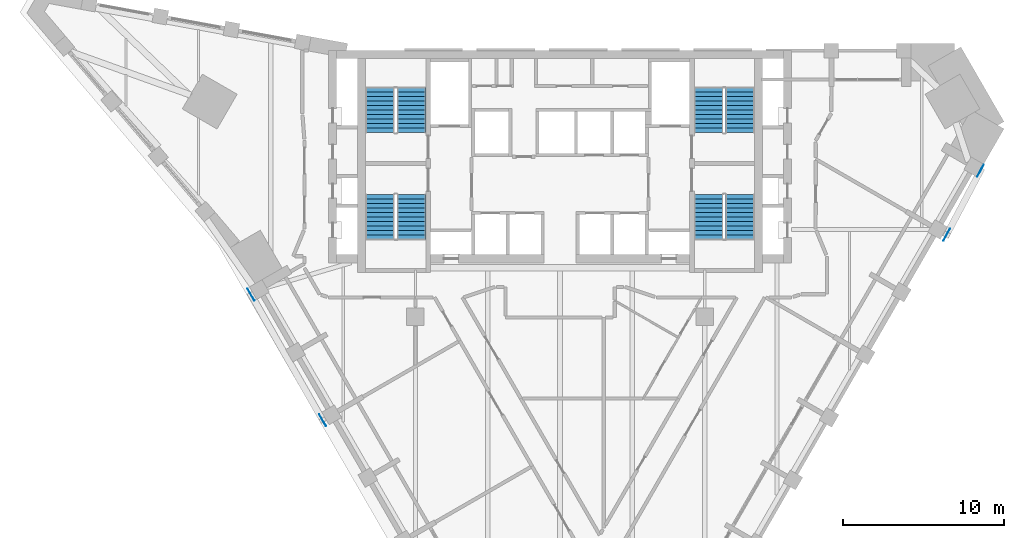
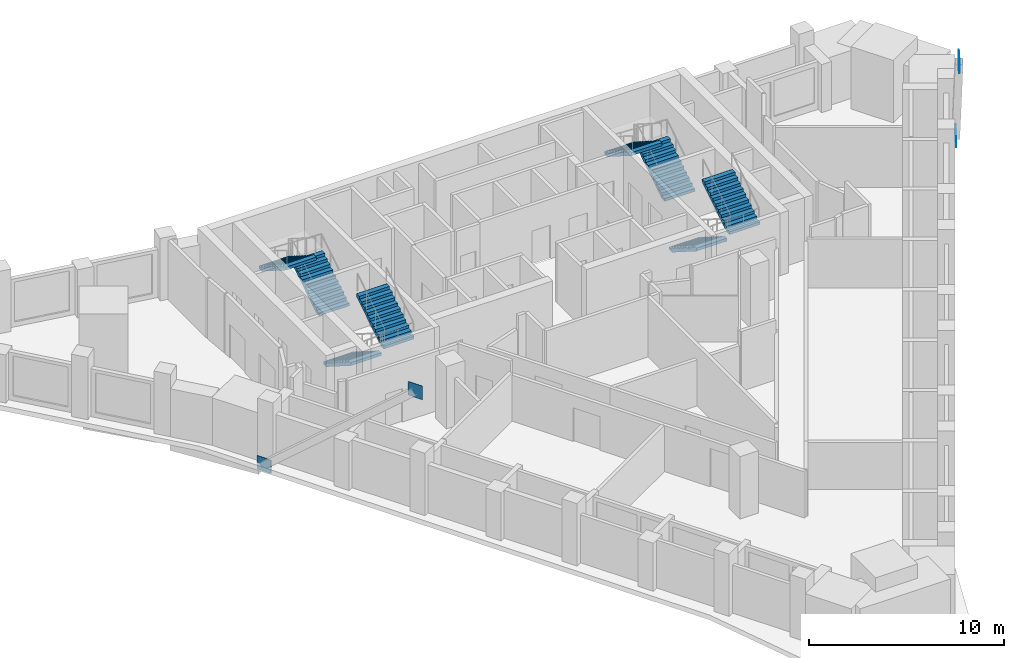
# One storey, part 8 of 9: 8 stair flights, 4 discrete accessories, 4 elements without a shape of their own.
"""IFC4 building model written with IfcOpenShell, lengths in metres."""

from ifc_helpers import new_model, si_unit, direction, frame, origin, origin_2d, place, context, subcontext, project, spatial, rectangle, extrude, faceted_brep, source, transform, mapped, material, type_object, element, aggregate, save


model = new_model("IFC4")

# Units and contexts
model_context = context("Model", 3, precision=1e-05, world=origin(), true_north=direction((0.0, 1.0)))
body_context = subcontext(model_context, "Body", "Model", "MODEL_VIEW")
ifc_project = project(units=[si_unit("LENGTHUNIT", "METRE"), si_unit("AREAUNIT", "SQUARE_METRE"), si_unit("VOLUMEUNIT", "CUBIC_METRE"), si_unit("PLANEANGLEUNIT", "RADIAN"), si_unit("MASSUNIT", "GRAM", prefix="KILO")], contexts=[model_context])

# Site, building, storey
site_placement = place(None, origin())
site = spatial("IfcSite", under=ifc_project, at=site_placement, CompositionType="ELEMENT")
building_placement = place(site_placement, origin())
building = spatial("IfcBuilding", under=site, at=building_placement, Name="Calabash Gate Tower", CompositionType="ELEMENT")
storey_placement = place(building_placement, frame((0.0, 0.0, 196.39990234375)))
storey = spatial("IfcBuildingStorey", under=building, at=storey_placement, Name="L46", CompositionType="ELEMENT", Elevation=196.39990234375)

# Stair, stair flights
ifc_material_1 = material(Name="Concrete C40/50", Category="concrete")
stair_type = type_object("IfcStairType", Name="Exit stair 22 risers of 177.3 mm", PredefinedType="HALF_TURN_STAIR", material=ifc_material_1)
stair_1_placement = place(storey_placement, origin())
stair_1 = element("IfcStair", 1, at=stair_1_placement, inside=storey, type_object=stair_type, Name="L46 Exit stair ST1", PredefinedType="HALF_TURN_STAIR")
ifc_material_2 = material(Name="Concrete C40/50", Category="concrete")
stair_flight_type = type_object("IfcStairFlightType", Name="Exit stair flight SFL", PredefinedType="STRAIGHT", material=ifc_material_2)
shared_shape = source(origin(), body_context, "Body", "Brep", [
    faceted_brep([(-0.0009765625, -0.89990234375, 0.0), (0.279541015625, -0.89990234375, 0.0), (2.791015625, -0.89990234375, 1.59521484375), (-0.0009765625, 0.89990234375, 0.0), (2.791015625, 0.89990234375, 1.59521484375), (0.279541015625, 0.89990234375, 0.0), (2.791015625, -0.89990234375, 1.78466796875), (2.7900390625, -0.89990234375, 1.78466796875), (2.7900390625, 0.89990234375, 1.78466796875), (2.791015625, 0.89990234375, 1.78466796875), (2.7900390625, -0.89990234375, 1.772705078125), (2.7900390625, 0.89990234375, 1.772705078125), (2.510986328125, -0.89990234375, 1.772705078125), (2.510986328125, 0.89990234375, 1.772705078125), (2.510986328125, -0.89990234375, 1.595458984375), (2.510986328125, 0.89990234375, 1.595458984375), (2.23193359375, -0.89990234375, 1.595458984375), (2.23193359375, 0.89990234375, 1.595458984375), (2.23193359375, -0.89990234375, 1.418212890625), (2.23193359375, 0.89990234375, 1.418212890625), (1.952880859375, -0.89990234375, 1.418212890625), (1.952880859375, -0.89990234375, 1.240966796875), (1.952880859375, 0.89990234375, 1.240966796875), (1.952880859375, 0.89990234375, 1.418212890625), (1.674072265625, -0.89990234375, 1.240966796875), (1.674072265625, -0.89990234375, 1.063720703125), (1.674072265625, 0.89990234375, 1.063720703125), (1.674072265625, 0.89990234375, 1.240966796875), (1.39501953125, -0.89990234375, 1.063720703125), (1.39501953125, -0.89990234375, 0.886474609375), (1.39501953125, 0.89990234375, 0.886474609375), (1.39501953125, 0.89990234375, 1.063720703125), (1.115966796875, -0.89990234375, 0.886474609375), (1.115966796875, -0.89990234375, 0.708984375), (1.115966796875, 0.89990234375, 0.708984375), (1.115966796875, 0.89990234375, 0.886474609375), (0.8369140625, -0.89990234375, 0.708984375), (0.8369140625, -0.89990234375, 0.53173828125), (0.8369140625, 0.89990234375, 0.53173828125), (0.8369140625, 0.89990234375, 0.708984375), (0.55810546875, -0.89990234375, 0.53173828125), (0.55810546875, -0.89990234375, 0.3544921875), (0.55810546875, 0.89990234375, 0.3544921875), (0.55810546875, 0.89990234375, 0.53173828125), (0.279052734375, -0.89990234375, 0.3544921875), (0.279052734375, -0.89990234375, 0.17724609375), (0.279052734375, 0.89990234375, 0.17724609375), (0.279052734375, 0.89990234375, 0.3544921875), (-0.0009765625, -0.89990234375, 0.17724609375), (-0.0009765625, 0.89990234375, 0.17724609375), (0.279541015625, -0.360107421875, 0.0), (2.791015625, -0.360107421875, 1.59521484375), (0.279541015625, 0.0, 0.0), (2.791015625, 0.0, 1.59521484375), (0.279541015625, 0.360107421875, 0.0), (2.791015625, 0.360107421875, 1.59521484375), (2.791015625, -0.360107421875, 1.78466796875), (2.791015625, 0.0, 1.78466796875), (2.791015625, 0.360107421875, 1.78466796875), (2.7900390625, -0.360107421875, 1.78466796875), (2.7900390625, 0.0, 1.78466796875), (2.7900390625, 0.360107421875, 1.78466796875), (2.7900390625, -0.360107421875, 1.772705078125), (2.7900390625, 0.0, 1.772705078125), (2.7900390625, 0.360107421875, 1.772705078125), (2.510986328125, -0.360107421875, 1.772705078125), (2.510986328125, 0.0, 1.772705078125), (2.510986328125, 0.360107421875, 1.772705078125), (2.510986328125, -0.360107421875, 1.595458984375), (2.510986328125, 0.0, 1.595458984375), (2.510986328125, 0.360107421875, 1.595458984375), (2.23193359375, -0.360107421875, 1.595458984375), (2.23193359375, 0.0, 1.595458984375), (2.23193359375, 0.360107421875, 1.595458984375), (2.23193359375, -0.360107421875, 1.418212890625), (2.23193359375, 0.0, 1.418212890625), (2.23193359375, 0.360107421875, 1.418212890625), (1.952880859375, -0.360107421875, 1.418212890625), (1.952880859375, 0.0, 1.418212890625), (1.952880859375, 0.360107421875, 1.418212890625), (1.952880859375, -0.360107421875, 1.240966796875), (1.952880859375, 0.0, 1.240966796875), (1.952880859375, 0.360107421875, 1.240966796875), (1.674072265625, -0.360107421875, 1.240966796875), (1.674072265625, 0.0, 1.240966796875), (1.674072265625, 0.360107421875, 1.240966796875), (1.674072265625, -0.360107421875, 1.063720703125), (1.674072265625, 0.0, 1.063720703125), (1.674072265625, 0.360107421875, 1.063720703125), (1.39501953125, -0.360107421875, 1.063720703125), (1.39501953125, 0.0, 1.063720703125), (1.39501953125, 0.360107421875, 1.063720703125), (1.39501953125, -0.360107421875, 0.886474609375), (1.39501953125, 0.0, 0.886474609375), (1.39501953125, 0.360107421875, 0.886474609375), (1.115966796875, -0.360107421875, 0.886474609375), (1.115966796875, 0.0, 0.886474609375), (1.115966796875, 0.360107421875, 0.886474609375), (1.115966796875, -0.360107421875, 0.708984375), (1.115966796875, 0.0, 0.708984375), (1.115966796875, 0.360107421875, 0.708984375), (0.8369140625, -0.360107421875, 0.708984375), (0.8369140625, 0.0, 0.708984375), (0.8369140625, 0.360107421875, 0.708984375), (0.8369140625, -0.360107421875, 0.53173828125), (0.8369140625, 0.0, 0.53173828125), (0.8369140625, 0.360107421875, 0.53173828125), (0.55810546875, -0.360107421875, 0.53173828125), (0.55810546875, 0.0, 0.53173828125), (0.55810546875, 0.360107421875, 0.53173828125), (0.55810546875, -0.360107421875, 0.3544921875), (0.55810546875, 0.0, 0.3544921875), (0.55810546875, 0.360107421875, 0.3544921875), (0.279052734375, -0.360107421875, 0.3544921875), (0.279052734375, 0.0, 0.3544921875), (0.279052734375, 0.360107421875, 0.3544921875), (0.279052734375, -0.360107421875, 0.17724609375), (0.279052734375, 0.0, 0.17724609375), (0.279052734375, 0.360107421875, 0.17724609375), (-0.0009765625, -0.360107421875, 0.17724609375), (-0.0009765625, 0.0, 0.17724609375), (-0.0009765625, 0.360107421875, 0.17724609375), (-0.0009765625, -0.360107421875, 0.0), (-0.0009765625, 0.0, 0.0), (-0.0009765625, 0.360107421875, 0.0)], [[[0, 1, 2]], [[3, 4, 5]], [[2, 6, 7]], [[4, 8, 9]], [[2, 7, 10]], [[4, 11, 8]], [[2, 10, 12]], [[4, 13, 11]], [[2, 12, 14]], [[4, 15, 13]], [[2, 14, 16]], [[4, 17, 15]], [[2, 16, 18]], [[4, 19, 17]], [[18, 20, 21]], [[19, 22, 23]], [[2, 18, 21]], [[4, 22, 19]], [[21, 24, 25]], [[22, 26, 27]], [[2, 21, 25]], [[4, 26, 22]], [[25, 28, 29]], [[26, 30, 31]], [[2, 25, 29]], [[4, 30, 26]], [[29, 32, 33]], [[30, 34, 35]], [[2, 29, 33]], [[4, 34, 30]], [[33, 36, 37]], [[34, 38, 39]], [[2, 33, 37]], [[4, 38, 34]], [[37, 40, 41]], [[38, 42, 43]], [[2, 37, 41]], [[4, 42, 38]], [[41, 44, 45]], [[42, 46, 47]], [[2, 41, 45]], [[4, 46, 42]], [[0, 2, 45]], [[3, 46, 4]], [[45, 48, 0]], [[46, 3, 49]], [[1, 50, 2]], [[50, 51, 2]], [[50, 52, 51]], [[52, 53, 51]], [[52, 54, 55]], [[52, 55, 53]], [[54, 5, 4]], [[54, 4, 55]], [[2, 51, 6]], [[51, 56, 6]], [[51, 53, 56]], [[53, 57, 56]], [[53, 55, 58]], [[53, 58, 57]], [[55, 4, 9]], [[55, 9, 58]], [[6, 56, 7]], [[56, 59, 7]], [[56, 57, 59]], [[57, 60, 59]], [[57, 58, 61]], [[57, 61, 60]], [[58, 9, 8]], [[58, 8, 61]], [[7, 59, 10]], [[59, 62, 10]], [[59, 60, 62]], [[60, 63, 62]], [[60, 61, 64]], [[60, 64, 63]], [[61, 8, 11]], [[61, 11, 64]], [[10, 62, 12]], [[62, 65, 12]], [[62, 63, 65]], [[63, 66, 65]], [[63, 64, 67]], [[63, 67, 66]], [[64, 11, 13]], [[64, 13, 67]], [[12, 65, 14]], [[65, 68, 14]], [[65, 66, 68]], [[66, 69, 68]], [[66, 67, 70]], [[66, 70, 69]], [[67, 13, 15]], [[67, 15, 70]], [[14, 68, 16]], [[68, 71, 16]], [[68, 69, 71]], [[69, 72, 71]], [[69, 70, 73]], [[69, 73, 72]], [[70, 15, 17]], [[70, 17, 73]], [[16, 71, 18]], [[71, 74, 18]], [[71, 72, 74]], [[72, 75, 74]], [[72, 73, 76]], [[72, 76, 75]], [[73, 17, 19]], [[73, 19, 76]], [[18, 74, 20]], [[74, 77, 20]], [[74, 75, 77]], [[75, 78, 77]], [[75, 76, 79]], [[75, 79, 78]], [[76, 19, 23]], [[76, 23, 79]], [[20, 77, 21]], [[77, 80, 21]], [[77, 78, 80]], [[78, 81, 80]], [[78, 79, 82]], [[78, 82, 81]], [[79, 23, 22]], [[79, 22, 82]], [[21, 80, 24]], [[80, 83, 24]], [[80, 81, 83]], [[81, 84, 83]], [[81, 82, 85]], [[81, 85, 84]], [[82, 22, 27]], [[82, 27, 85]], [[24, 83, 25]], [[83, 86, 25]], [[83, 84, 86]], [[84, 87, 86]], [[84, 85, 88]], [[84, 88, 87]], [[85, 27, 26]], [[85, 26, 88]], [[25, 86, 28]], [[86, 89, 28]], [[86, 87, 89]], [[87, 90, 89]], [[87, 88, 91]], [[87, 91, 90]], [[88, 26, 31]], [[88, 31, 91]], [[28, 89, 29]], [[89, 92, 29]], [[89, 90, 92]], [[90, 93, 92]], [[90, 91, 94]], [[90, 94, 93]], [[91, 31, 30]], [[91, 30, 94]], [[29, 92, 32]], [[92, 95, 32]], [[92, 93, 95]], [[93, 96, 95]], [[93, 94, 97]], [[93, 97, 96]], [[94, 30, 35]], [[94, 35, 97]], [[32, 95, 33]], [[95, 98, 33]], [[95, 96, 98]], [[96, 99, 98]], [[96, 97, 100]], [[96, 100, 99]], [[97, 35, 34]], [[97, 34, 100]], [[33, 98, 36]], [[98, 101, 36]], [[98, 99, 101]], [[99, 102, 101]], [[99, 100, 103]], [[99, 103, 102]], [[100, 34, 39]], [[100, 39, 103]], [[36, 101, 37]], [[101, 104, 37]], [[101, 102, 104]], [[102, 105, 104]], [[102, 103, 106]], [[102, 106, 105]], [[103, 39, 38]], [[103, 38, 106]], [[37, 104, 40]], [[104, 107, 40]], [[104, 105, 107]], [[105, 108, 107]], [[105, 106, 109]], [[105, 109, 108]], [[106, 38, 43]], [[106, 43, 109]], [[40, 107, 41]], [[107, 110, 41]], [[107, 108, 110]], [[108, 111, 110]], [[108, 109, 112]], [[108, 112, 111]], [[109, 43, 42]], [[109, 42, 112]], [[41, 110, 44]], [[110, 113, 44]], [[110, 111, 113]], [[111, 114, 113]], [[111, 112, 115]], [[111, 115, 114]], [[112, 42, 47]], [[112, 47, 115]], [[44, 113, 45]], [[113, 116, 45]], [[113, 114, 116]], [[114, 117, 116]], [[114, 115, 118]], [[114, 118, 117]], [[115, 47, 46]], [[115, 46, 118]], [[45, 116, 48]], [[116, 119, 48]], [[116, 117, 119]], [[117, 120, 119]], [[117, 118, 121]], [[117, 121, 120]], [[118, 46, 49]], [[118, 49, 121]], [[48, 119, 0]], [[119, 122, 0]], [[119, 120, 122]], [[120, 123, 122]], [[120, 121, 124]], [[120, 124, 123]], [[121, 49, 3]], [[121, 3, 124]], [[0, 122, 1]], [[122, 50, 1]], [[122, 123, 50]], [[123, 52, 50]], [[123, 124, 54]], [[123, 54, 52]], [[124, 3, 5]], [[124, 5, 54]]]),
])
stair_flight_1_placement = place(storey_placement, frame((-9.25, 13.95263671875, 0.0), z_axis=(0.0, 0.0, 1.0), x_axis=(0.0, 1.0, 0.0)))
stair_flight_1 = element("IfcStairFlight", 2, at=stair_flight_1_placement, type_object=stair_flight_type, Name="ST1 flight 1", NumberOfRisers=11, NumberOfTreads=10, PredefinedType="STRAIGHT", RiserHeight=0.177272727, TreadLength=0.279, context=body_context, shape_type="MappedRepresentation", body=[
    mapped(shared_shape, transform((0.0, 0.0, 0.0), scale=1.0)),
])
stair_flight_2_placement = place(storey_placement, frame((-11.199951171875, 16.74267578125, 1.9501953125), z_axis=(0.0, 0.0, 1.0), x_axis=(0.0, -1.0, 0.0)))
stair_flight_2 = element("IfcStairFlight", 3, at=stair_flight_2_placement, type_object=stair_flight_type, Name="ST1 flight 2", NumberOfRisers=11, NumberOfTreads=10, PredefinedType="STRAIGHT", RiserHeight=0.177272727, TreadLength=0.279, context=body_context, shape_type="MappedRepresentation", body=[
    mapped(shared_shape, transform((0.0, 0.0, 0.0), scale=1.0)),
])
aggregate(stair_1, [stair_flight_1, stair_flight_2])

stair_2_placement = place(storey_placement, origin())
stair_2 = element("IfcStair", 4, at=stair_2_placement, inside=storey, type_object=stair_type, Name="L46 Exit stair ST2", PredefinedType="HALF_TURN_STAIR")
stair_flight_3_placement = place(storey_placement, frame((-11.199951171875, 10.1025390625, 0.0), z_axis=(0.0, 0.0, 1.0), x_axis=(0.0, -1.0, 0.0)))
stair_flight_3 = element("IfcStairFlight", 5, at=stair_flight_3_placement, type_object=stair_flight_type, Name="ST2 flight 1", NumberOfRisers=11, NumberOfTreads=10, PredefinedType="STRAIGHT", RiserHeight=0.177272727, TreadLength=0.279, context=body_context, shape_type="MappedRepresentation", body=[
    mapped(shared_shape, transform((0.0, 0.0, 0.0), scale=1.0)),
])
stair_flight_4_placement = place(storey_placement, frame((-9.25, 7.3125, 1.9501953125), z_axis=(0.0, 0.0, 1.0), x_axis=(0.0, 1.0, 0.0)))
stair_flight_4 = element("IfcStairFlight", 6, at=stair_flight_4_placement, type_object=stair_flight_type, Name="ST2 flight 2", NumberOfRisers=11, NumberOfTreads=10, PredefinedType="STRAIGHT", RiserHeight=0.177272727, TreadLength=0.279, context=body_context, shape_type="MappedRepresentation", body=[
    mapped(shared_shape, transform((0.0, 0.0, 0.0), scale=1.0)),
])
aggregate(stair_2, [stair_flight_3, stair_flight_4])

stair_3_placement = place(storey_placement, origin())
stair_3 = element("IfcStair", 7, at=stair_3_placement, inside=storey, type_object=stair_type, Name="L46 Exit stair ST3", PredefinedType="HALF_TURN_STAIR")
stair_flight_5_placement = place(storey_placement, frame((11.199951171875, 13.95263671875, 0.0), z_axis=(0.0, 0.0, 1.0), x_axis=(0.0, 1.0, 0.0)))
stair_flight_5 = element("IfcStairFlight", 8, at=stair_flight_5_placement, type_object=stair_flight_type, Name="ST3 flight 1", NumberOfRisers=11, NumberOfTreads=10, PredefinedType="STRAIGHT", RiserHeight=0.177272727, TreadLength=0.279, context=body_context, shape_type="MappedRepresentation", body=[
    mapped(shared_shape, transform((0.0, 0.0, 0.0), scale=1.0)),
])
stair_flight_6_placement = place(storey_placement, frame((9.25, 16.74267578125, 1.9501953125), z_axis=(0.0, 0.0, 1.0), x_axis=(0.0, -1.0, 0.0)))
stair_flight_6 = element("IfcStairFlight", 9, at=stair_flight_6_placement, type_object=stair_flight_type, Name="ST3 flight 2", NumberOfRisers=11, NumberOfTreads=10, PredefinedType="STRAIGHT", RiserHeight=0.177272727, TreadLength=0.279, context=body_context, shape_type="MappedRepresentation", body=[
    mapped(shared_shape, transform((0.0, 0.0, 0.0), scale=1.0)),
])
aggregate(stair_3, [stair_flight_5, stair_flight_6])

stair_4_placement = place(storey_placement, origin())
stair_4 = element("IfcStair", 10, at=stair_4_placement, inside=storey, type_object=stair_type, Name="L46 Exit stair ST4", PredefinedType="HALF_TURN_STAIR")
stair_flight_7_placement = place(storey_placement, frame((9.25, 10.1025390625, 0.0), z_axis=(0.0, 0.0, 1.0), x_axis=(0.0, -1.0, 0.0)))
stair_flight_7 = element("IfcStairFlight", 11, at=stair_flight_7_placement, type_object=stair_flight_type, Name="ST4 flight 1", NumberOfRisers=11, NumberOfTreads=10, PredefinedType="STRAIGHT", RiserHeight=0.177272727, TreadLength=0.279, context=body_context, shape_type="MappedRepresentation", body=[
    mapped(shared_shape, transform((0.0, 0.0, 0.0), scale=1.0)),
])
stair_flight_8_placement = place(storey_placement, frame((11.199951171875, 7.3125, 1.9501953125), z_axis=(0.0, 0.0, 1.0), x_axis=(0.0, 1.0, 0.0)))
stair_flight_8 = element("IfcStairFlight", 12, at=stair_flight_8_placement, type_object=stair_flight_type, Name="ST4 flight 2", NumberOfRisers=11, NumberOfTreads=10, PredefinedType="STRAIGHT", RiserHeight=0.177272727, TreadLength=0.279, context=body_context, shape_type="MappedRepresentation", body=[
    mapped(shared_shape, transform((0.0, 0.0, 0.0), scale=1.0)),
])
aggregate(stair_4, [stair_flight_7, stair_flight_8])

# Discrete accessories
ifc_material_3 = material(Name="Steel ASTM A572 Gr50", Category="steel")
discrete_accessory_type = type_object("IfcDiscreteAccessoryType", Name="Connection plate 25", PredefinedType="BRACKET", material=ifc_material_3)
for number, where, z_axis, x_axis, name in (
    (13, (-19.22412109375, 3.8701171875, -0.42529296875), (0.0, 0.0, 1.0), (0.49535924276, -0.868688218299, 0.0), "Connection plate Mega-brace SW Z4 28 start"),
    (14, (-14.772216796875, -3.936767578125, 7.375), (0.0, 0.0, 1.0), (0.49535924276, -0.868688218299, 0.0), "Connection plate Mega-brace SW Z4 28 end"),
    (15, (26.156005859375, 11.577880859375, -0.42529296875), (0.0, 0.0, 1.0), (-0.467292841109, -0.884102596223, 0.0), "Connection plate Mega-brace SE Z4 32 start"),
    (16, (24.051513671875, 7.596435546875, 7.375), (0.0, 0.0, 1.0), (-0.467292841109, -0.884102596223, 0.0), "Connection plate Mega-brace SE Z4 32 end"),
):
    element("IfcDiscreteAccessory", number, at=place(storey_placement, frame(where, z_axis=z_axis, x_axis=x_axis)), inside=storey, type_object=discrete_accessory_type, Name=name, PredefinedType="BRACKET", context=body_context, shape_type="SweptSolid", body=[
        extrude(rectangle(XDim=0.850341796875, YDim=0.02490234375, at=origin_2d()), origin(), (0.0, 0.0, 1.0), 0.850341796875),
    ])

save(model, "model.ifc")
